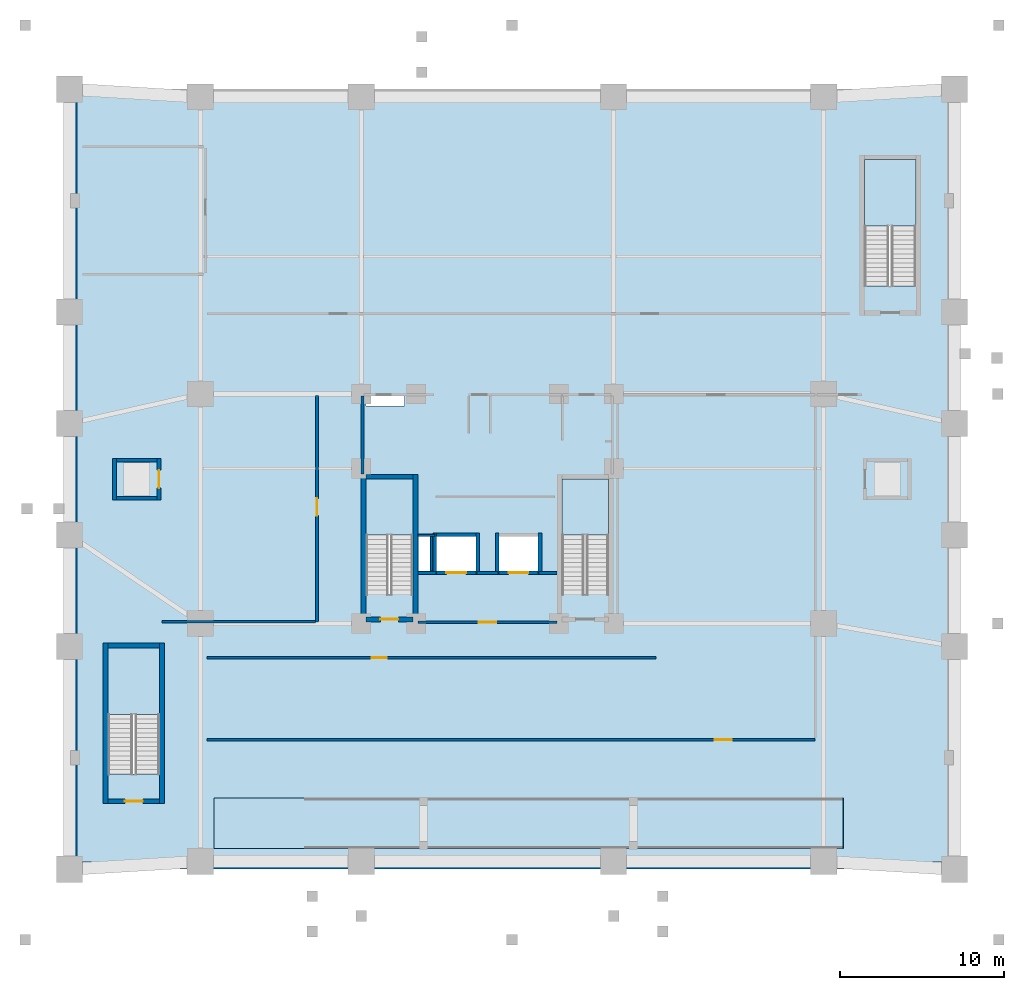
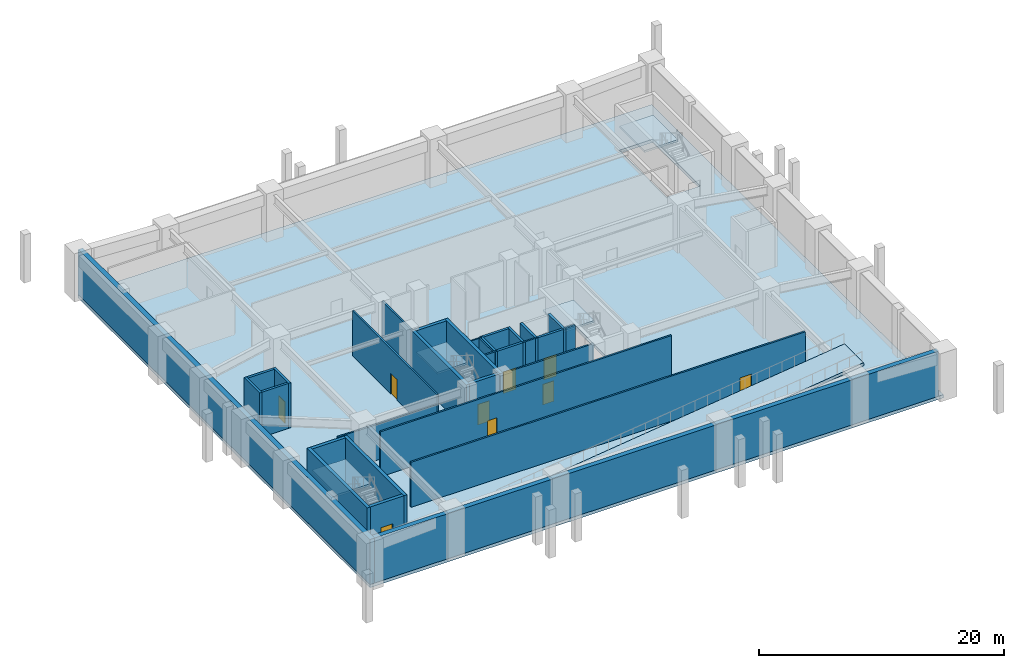
# One storey, part 2 of 8: 32 walls, 9 doors, 6 slabs, 9 openings, 4 elements without a shape of their own.
"""IFC4 building model written with IfcOpenShell, lengths in metres."""

from ifc_helpers import new_model, si_unit, derived_unit, direction, frame, frame_2d, origin, place, context, subcontext, project, spatial, polyline, rectangle, outline, extrude, material, layer, layer_set, type_object, element, fill, aggregate, save


model = new_model("IFC4")

# Units and contexts
model_context = context("Model", 3, precision=1e-05, world=origin(), true_north=direction((0.0, 1.0)))
body_context = subcontext(model_context, "Body", "Model", "MODEL_VIEW")
ifc_project = project(units=[si_unit("LENGTHUNIT", "METRE"), si_unit("AREAUNIT", "SQUARE_METRE"), si_unit("VOLUMEUNIT", "CUBIC_METRE"), si_unit("PLANEANGLEUNIT", "RADIAN"), si_unit("MASSUNIT", "GRAM", prefix="KILO"), derived_unit("THERMALTRANSMITTANCEUNIT", [(si_unit("MASSUNIT", "GRAM", prefix="KILO"), 1), (si_unit("TIMEUNIT", "SECOND"), -3), (si_unit("THERMODYNAMICTEMPERATUREUNIT", "KELVIN"), -1)])], contexts=[model_context])

# Site, building, storey
site_placement = place(None, origin())
site = spatial("IfcSite", under=ifc_project, at=site_placement, CompositionType="ELEMENT")
building_placement = place(site_placement, origin())
building = spatial("IfcBuilding", under=site, at=building_placement, Name="Korrvale Station Residences", CompositionType="ELEMENT")
storey_placement = place(building_placement, frame((0.0, 0.0, -4.800048828125)))
storey = spatial("IfcBuildingStorey", under=building, at=storey_placement, Name="B01", CompositionType="ELEMENT", Elevation=-4.800048828125)

# Slab
ifc_material_1 = material(Name="Concrete C50/60", Category="concrete")
ifc_layer_1 = layer(ifc_material_1, 0.320068359375, Name="Concrete C50/60")
ifc_layer_set_1 = layer_set([ifc_layer_1], Name="Concrete C50/60")
slab_type_1 = type_object("IfcSlabType", Name="SLB-FLR-320", PredefinedType="FLOOR", material=ifc_layer_set_1)
slab_1_placement = place(storey_placement, frame((0.0, 0.0, -0.320068359375)))
element("IfcSlab", 1, at=slab_1_placement, inside=storey, type_object=slab_type_1, Name="B01 Suspended Structural Floor Slab", PredefinedType="FLOOR", context=body_context, shape_type="SweptSolid", body=[
    extrude(outline(polyline([(0.0, 0.0), (54.0, 0.0), (54.0, 47.60009765625), (0.0, 47.60009765625), (0.0, 0.0)]), holes=[polyline([(20.949951171875, 16.751953125), (20.949951171875, 23.800048828125), (18.10009765625, 23.800048828125), (18.10009765625, 16.751953125), (20.949951171875, 16.751953125)]), polyline([(32.89990234375, 16.751953125), (32.89990234375, 23.800048828125), (30.050048828125, 23.800048828125), (30.050048828125, 16.751953125), (32.89990234375, 16.751953125)]), polyline([(5.5, 5.802001953125), (5.5, 13.5), (2.35009765625, 13.5), (2.35009765625, 5.802001953125), (5.5, 5.802001953125)]), polyline([(51.64990234375, 35.60205078125), (51.64990234375, 43.300048828125), (48.5, 43.300048828125), (48.5, 35.60205078125), (51.64990234375, 35.60205078125)]), polyline([(22.39990234375, 18.199951171875), (24.800048828125, 18.199951171875), (24.800048828125, 20.300048828125), (22.39990234375, 20.300048828125), (22.39990234375, 18.199951171875)]), polyline([(26.199951171875, 18.199951171875), (28.60009765625, 18.199951171875), (28.60009765625, 20.300048828125), (26.199951171875, 20.300048828125), (26.199951171875, 18.199951171875)]), polyline([(18.10009765625, 28.280029296875), (20.449951171875, 28.280029296875), (20.449951171875, 28.8798828125), (18.10009765625, 28.8798828125), (18.10009765625, 28.280029296875)]), polyline([(21.280029296875, 18.199951171875), (22.02001953125, 18.199951171875), (22.02001953125, 20.300048828125), (21.280029296875, 20.300048828125), (21.280029296875, 18.199951171875)]), polyline([(8.800048828125, 1.25), (11.10009765625, 1.25), (11.10009765625, 4.35009765625), (8.800048828125, 4.35009765625), (8.800048828125, 1.25)])]), origin(), (0.0, 0.0, 1.0), 0.320068359375),
])

# Stair, slab
stair_type_1 = type_object("IfcStairType", Name="STR-DL-1350-28R-1714", PredefinedType="HALF_TURN_STAIR", material=ifc_material_1)
stair_1_placement = place(storey_placement, origin())
stair_1 = element("IfcStair", 2, at=stair_1_placement, inside=storey, type_object=stair_type_1, Name="B01 Exit Stair 1", PredefinedType="HALF_TURN_STAIR")
ifc_layer_2 = layer(ifc_material_1, 0.199951171875, Name="Concrete C50/60")
ifc_layer_set_2 = layer_set([ifc_layer_2], Name="Concrete C50/60")
slab_type_2 = type_object("IfcSlabType", Name="SLB-LND-200", PredefinedType="LANDING", material=ifc_layer_set_2)
slab_2_placement = place(storey_placement, frame((0.0, 0.0, 2.199951171875)))
slab_2 = element("IfcSlab", 3, at=slab_2_placement, type_object=slab_type_2, Name="ST-1 landing 1", PredefinedType="LANDING", context=body_context, shape_type="SweptSolid", body=[
    extrude(outline(polyline([(20.949951171875, 20.389892578125), (20.949951171875, 23.800048828125), (18.10009765625, 23.800048828125), (18.10009765625, 20.389892578125), (20.949951171875, 20.389892578125)])), origin(), (0.0, 0.0, 1.0), 0.2001953125),
])
aggregate(stair_1, [slab_2])

stair_2_placement = place(storey_placement, origin())
stair_2 = element("IfcStair", 4, at=stair_2_placement, inside=storey, type_object=stair_type_1, Name="B01 Exit Stair 2", PredefinedType="HALF_TURN_STAIR")
slab_3_placement = place(storey_placement, frame((0.0, 0.0, 2.199951171875)))
slab_3 = element("IfcSlab", 5, at=slab_3_placement, type_object=slab_type_2, Name="ST-2 landing 1", PredefinedType="LANDING", context=body_context, shape_type="SweptSolid", body=[
    extrude(outline(polyline([(32.89990234375, 20.389892578125), (32.89990234375, 23.800048828125), (30.050048828125, 23.800048828125), (30.050048828125, 20.389892578125), (32.89990234375, 20.389892578125)])), origin(), (0.0, 0.0, 1.0), 0.2001953125),
])
aggregate(stair_2, [slab_3])

stair_type_2 = type_object("IfcStairType", Name="STR-DL-1500-28R-1714", PredefinedType="HALF_TURN_STAIR", material=ifc_material_1)
stair_3_placement = place(storey_placement, origin())
stair_3 = element("IfcStair", 6, at=stair_3_placement, inside=storey, type_object=stair_type_2, Name="B01 Station Exit Stair 3", PredefinedType="HALF_TURN_STAIR")
slab_4_placement = place(storey_placement, frame((0.0, 0.0, 2.199951171875)))
slab_4 = element("IfcSlab", 7, at=slab_4_placement, type_object=slab_type_2, Name="ST-3 landing 1", PredefinedType="LANDING", context=body_context, shape_type="SweptSolid", body=[
    extrude(outline(polyline([(5.5, 9.43994140625), (5.5, 13.5), (2.35009765625, 13.5), (2.35009765625, 9.43994140625), (5.5, 9.43994140625)])), origin(), (0.0, 0.0, 1.0), 0.2001953125),
])
aggregate(stair_3, [slab_4])

stair_4_placement = place(storey_placement, origin())
stair_4 = element("IfcStair", 8, at=stair_4_placement, inside=storey, type_object=stair_type_2, Name="B01 Station Exit Stair 4", PredefinedType="HALF_TURN_STAIR")
slab_5_placement = place(storey_placement, frame((0.0, 0.0, 2.199951171875)))
slab_5 = element("IfcSlab", 9, at=slab_5_placement, type_object=slab_type_2, Name="ST-4 landing 1", PredefinedType="LANDING", context=body_context, shape_type="SweptSolid", body=[
    extrude(outline(polyline([(51.64990234375, 39.239990234375), (51.64990234375, 43.300048828125), (48.5, 43.300048828125), (48.5, 39.239990234375), (51.64990234375, 39.239990234375)])), origin(), (0.0, 0.0, 1.0), 0.2001953125),
])
aggregate(stair_4, [slab_5])

# Slab
ifc_layer_3 = layer(ifc_material_1, 0.300048828125, Name="Concrete C50/60")
ifc_layer_set_3 = layer_set([ifc_layer_3], Name="Concrete C50/60")
slab_type_3 = type_object("IfcSlabType", Name="SLB-VRAMP-300", PredefinedType="USERDEFINED", material=ifc_layer_set_3)
slab_6_placement = place(storey_placement, frame((8.800048828125, 1.25, 0.0), z_axis=(-0.124036287512, 0.0, 0.992277682597), x_axis=(0.992277682597, 0.0, 0.124036287512)))
element("IfcSlab", 10, at=slab_6_placement, inside=storey, type_object=slab_type_3, Name="Basement B01 Structural Concrete Vehicle Ramp Slab", ObjectType="VEHICLE_RAMP", PredefinedType="USERDEFINED", context=body_context, shape_type="SweptSolid", body=[
    extrude(outline(polyline([(0.0, 0.0), (38.698746346127564, 0.0), (38.698746346127564, 3.10009765625), (0.0, 3.10009765625), (0.0, 0.0)])), origin(), (0.0, 0.0, -1.0), 0.300048828125),
])

# Walls
ifc_material_2 = material(Name="Concrete C70/85", Category="concrete")
ifc_layer_4 = layer(ifc_material_2, 0.300048828125, Name="Concrete C70/85")
ifc_layer_set_4 = layer_set([ifc_layer_4], Name="Concrete C70/85")
wall_type_1 = type_object("IfcWallType", Name="WAL-CORE-300-C70", PredefinedType="SHEAR", material=ifc_layer_set_4)
for number, where, z_axis, x_axis, name in (
    (11, (17.949951171875, 15.10009765625, 0.0), (0.0, 0.0, 1.0), (0.0, 1.0, 0.0), "B01 ST-1 Core Shear Wall West"),
    (12, (21.10009765625, 15.10009765625, 0.0), (0.0, 0.0, 1.0), (0.0, 1.0, 0.0), "B01 ST-1 Core Shear Wall East"),
):
    element("IfcWall", number, at=place(storey_placement, frame(where, z_axis=z_axis, x_axis=x_axis)), inside=storey, type_object=wall_type_1, Name=name, PredefinedType="SHEAR", context=body_context, shape_type="SweptSolid", body=[
        extrude(rectangle(XDim=9.0, YDim=0.300048828125, at=frame_2d((4.5, 0.0))), origin(), (0.0, 0.0, 1.0), 4.47998046875),
    ])
wall_1_placement = place(storey_placement, frame((18.10009765625, 23.949951171875, 0.0), z_axis=(0.0, 0.0, 1.0), x_axis=(1.0, 0.0, 0.0)))
element("IfcWall", 13, at=wall_1_placement, inside=storey, type_object=wall_type_1, Name="B01 ST-1 Core Shear Wall North", PredefinedType="SHEAR", context=body_context, shape_type="SweptSolid", body=[
    extrude(rectangle(XDim=2.849853515625, YDim=0.300048828125, at=frame_2d((1.4248046875, 0.0))), origin(), (0.0, 0.0, 1.0), 4.47998046875),
])

# Wall, opening, door
wall_2_placement = place(storey_placement, frame((18.10009765625, 15.25, 0.0), z_axis=(0.0, 0.0, 1.0), x_axis=(1.0, 0.0, 0.0)))
wall_2 = element("IfcWall", 14, at=wall_2_placement, inside=storey, type_object=wall_type_1, Name="B01 ST-1 Core Shear Wall South", PredefinedType="SHEAR", context=body_context, shape_type="SweptSolid", body=[
    extrude(rectangle(XDim=2.849853515625, YDim=0.300048828125, at=frame_2d((1.4248046875, 0.0))), origin(), (0.0, 0.0, 1.0), 4.47998046875),
])
opening_1_placement = place(wall_2_placement, frame((0.860107421875, 0.0, 0.0)))
opening_1 = element("IfcOpeningElement", 15, at=opening_1_placement, cuts=wall_2, Name="Opening SD-1100", PredefinedType="OPENING", context=body_context, shape_type="SweptSolid", body=[
    extrude(rectangle(XDim=1.10009765625, YDim=2.050048828125, at=frame_2d((0.550048828125, 1.02490234375))), frame((0.0, 0.16015625, 0.0), z_axis=(0.0, -1.0, 0.0), x_axis=(1.0, 0.0, 0.0)), (0.0, 0.0, 1.0), 0.320068359375),
])
ifc_material_3 = material(Name="Hollow-metal fire-rated stair door with closer", Category="steel")
door_type_1 = type_object("IfcDoorType", Name="DR-STAIR-1100", OperationType="NOTDEFINED", PredefinedType="DOOR", material=ifc_material_3)
door_1_placement = place(opening_1_placement, origin())
door_1 = element("IfcDoor", 16, at=door_1_placement, inside=storey, type_object=door_type_1, Name="B01 ST-1 Exit Stair Door", OperationType="SINGLE_SWING_LEFT", OverallHeight=2.050048828125, OverallWidth=1.10009765625, PredefinedType="DOOR", context=body_context, shape_type="SweptSolid", body=[
    extrude(rectangle(XDim=1.10009765625, YDim=2.050048828125, at=frame_2d((0.550048828125, 1.02490234375))), frame((0.0, 0.02490234375, 0.0), z_axis=(0.0, -1.0, 0.0), x_axis=(1.0, 0.0, 0.0)), (0.0, 0.0, 1.0), 0.050048828125),
])
fill(opening_1, door_1)

# Walls
for number, where, z_axis, x_axis, name in (
    (17, (2.199951171875, 4.0, 0.0), (0.0, 0.0, 1.0), (0.0, 1.0, 0.0), "B01 ST-3 Core Shear Wall West"),
    (18, (5.64990234375, 4.0, 0.0), (0.0, 0.0, 1.0), (0.0, 1.0, 0.0), "B01 ST-3 Core Shear Wall East"),
):
    element("IfcWall", number, at=place(storey_placement, frame(where, z_axis=z_axis, x_axis=x_axis)), inside=storey, type_object=wall_type_1, Name=name, PredefinedType="SHEAR", context=body_context, shape_type="SweptSolid", body=[
        extrude(rectangle(XDim=9.800048828125, YDim=0.300048828125, at=frame_2d((4.89990234375, 0.0))), origin(), (0.0, 0.0, 1.0), 4.47998046875),
    ])
wall_3_placement = place(storey_placement, frame((2.35009765625, 13.64990234375, 0.0), z_axis=(0.0, 0.0, 1.0), x_axis=(1.0, 0.0, 0.0)))
element("IfcWall", 19, at=wall_3_placement, inside=storey, type_object=wall_type_1, Name="B01 ST-3 Core Shear Wall North", PredefinedType="SHEAR", context=body_context, shape_type="SweptSolid", body=[
    extrude(rectangle(XDim=3.14990234375, YDim=0.300048828125, at=frame_2d((1.574951171875, 0.0))), origin(), (0.0, 0.0, 1.0), 4.47998046875),
])

# Wall, opening, door
wall_4_placement = place(storey_placement, frame((2.35009765625, 4.14990234375, 0.0), z_axis=(0.0, 0.0, 1.0), x_axis=(1.0, 0.0, 0.0)))
wall_4 = element("IfcWall", 20, at=wall_4_placement, inside=storey, type_object=wall_type_1, Name="B01 ST-3 Core Shear Wall South", PredefinedType="SHEAR", context=body_context, shape_type="SweptSolid", body=[
    extrude(rectangle(XDim=3.14990234375, YDim=0.300048828125, at=frame_2d((1.574951171875, 0.0))), origin(), (0.0, 0.0, 1.0), 4.47998046875),
])
opening_2_placement = place(wall_4_placement, frame((1.02001953125, 0.0, 0.0)))
opening_2 = element("IfcOpeningElement", 21, at=opening_2_placement, cuts=wall_4, Name="Opening SD-1100", PredefinedType="OPENING", context=body_context, shape_type="SweptSolid", body=[
    extrude(rectangle(XDim=1.10009765625, YDim=2.050048828125, at=frame_2d((0.550048828125, 1.02490234375))), frame((0.0, 0.16015625, 0.0), z_axis=(0.0, -1.0, 0.0), x_axis=(1.0, 0.0, 0.0)), (0.0, 0.0, 1.0), 0.320068359375),
])
door_2_placement = place(opening_2_placement, origin())
door_2 = element("IfcDoor", 22, at=door_2_placement, inside=storey, type_object=door_type_1, Name="B01 ST-3 Exit Stair Door", OperationType="SINGLE_SWING_LEFT", OverallHeight=2.050048828125, OverallWidth=1.10009765625, PredefinedType="DOOR", context=body_context, shape_type="SweptSolid", body=[
    extrude(rectangle(XDim=1.10009765625, YDim=2.050048828125, at=frame_2d((0.550048828125, 1.02490234375))), frame((0.0, 0.02490234375, 0.0), z_axis=(0.0, -1.0, 0.0), x_axis=(1.0, 0.0, 0.0)), (0.0, 0.0, 1.0), 0.050048828125),
])
fill(opening_2, door_2)

# Walls
ifc_material_4 = material(Name="Acoustic steel-stud gypsum board partition", Category="steel")
ifc_layer_5 = layer(ifc_material_4, 0.1201171875, Name="Acoustic steel-stud gypsum board partition")
ifc_layer_set_5 = layer_set([ifc_layer_5], Name="Acoustic steel-stud gypsum board partition")
wall_type_2 = type_object("IfcWallType", Name="WAL-PART-125", PredefinedType="PARTITIONING", material=ifc_layer_set_5)
wall_5_placement = place(storey_placement, frame((22.080078125, 18.199951171875, 0.0), z_axis=(0.0, 0.0, 1.0), x_axis=(0.0, 1.0, 0.0)))
element("IfcWall", 23, at=wall_5_placement, inside=storey, type_object=wall_type_2, Name="B01 Core Partition CW-RSWT", PredefinedType="PARTITIONING", context=body_context, shape_type="SweptSolid", body=[
    extrude(rectangle(XDim=2.1201171875, YDim=0.1201171875, at=frame_2d((1.06005859375, 0.0))), origin(), (0.0, 0.0, 1.0), 4.47998046875),
])
wall_6_placement = place(storey_placement, frame((22.280029296875, 20.3798828125, 0.0), z_axis=(0.0, 0.0, 1.0), x_axis=(-1.0, 0.0, 0.0)))
element("IfcWall", 24, at=wall_6_placement, inside=storey, type_object=wall_type_2, Name="B01 Core Partition CW-RSWT-N", PredefinedType="PARTITIONING", context=body_context, shape_type="SweptSolid", body=[
    extrude(rectangle(XDim=1.02001953125, YDim=0.1201171875, at=frame_2d((0.510009765625, 0.0))), origin(), (0.0, 0.0, 1.0), 4.47998046875),
])

# Wall, opening, door
ifc_material_5 = material(Name="Fire-rated twin-stud gypsum and mineral wool shaftwall assembly", Category="gypsum")
ifc_layer_6 = layer(ifc_material_5, 0.159912109375, Name="Fire-rated twin-stud gypsum and mineral wool shaftwall assembly")
ifc_layer_set_6 = layer_set([ifc_layer_6], Name="Fire-rated twin-stud gypsum and mineral wool shaftwall assembly")
wall_type_3 = type_object("IfcWallType", Name="WAL-PART-200", PredefinedType="PARTITIONING", material=ifc_layer_set_6)
wall_7_placement = place(storey_placement, frame((21.25, 15.080078125, 0.0), z_axis=(0.0, 0.0, 1.0), x_axis=(1.0, 0.0, 0.0)))
wall_7 = element("IfcWall", 25, at=wall_7_placement, inside=storey, type_object=wall_type_3, Name="B01 Core Partition CW-FFL-S", PredefinedType="PARTITIONING", context=body_context, shape_type="SweptSolid", body=[
    extrude(rectangle(XDim=8.5, YDim=0.159912109375, at=frame_2d((4.25, 0.0))), origin(), (0.0, 0.0, 1.0), 4.47998046875),
])
opening_3_placement = place(wall_7_placement, frame((3.72509765625, 0.0, 0.0)))
opening_3 = element("IfcOpeningElement", 26, at=opening_3_placement, cuts=wall_7, Name="Opening FD-1050", PredefinedType="OPENING", context=body_context, shape_type="SweptSolid", body=[
    extrude(rectangle(XDim=1.050048828125, YDim=2.050048828125, at=frame_2d((0.52490234375, 1.02490234375))), frame((0.0, 0.08984375, 0.0), z_axis=(0.0, -1.0, 0.0), x_axis=(1.0, 0.0, 0.0)), (0.0, 0.0, 1.0), 0.179931640625),
])
ifc_material_6 = material(Name="Fire-rated mineral-core timber lobby door", Category="wood")
door_type_2 = type_object("IfcDoorType", Name="DR-CORE-1050", OperationType="NOTDEFINED", PredefinedType="DOOR", material=ifc_material_6)
door_3_placement = place(opening_3_placement, origin())
door_3 = element("IfcDoor", 27, at=door_3_placement, inside=storey, type_object=door_type_2, Name="B01 Firefighting Lobby Entry Door", OperationType="SINGLE_SWING_LEFT", OverallHeight=2.050048828125, OverallWidth=1.050048828125, PredefinedType="DOOR", context=body_context, shape_type="SweptSolid", body=[
    extrude(rectangle(XDim=1.050048828125, YDim=2.050048828125, at=frame_2d((0.52490234375, 1.02490234375))), frame((0.0, 0.02490234375, 0.0), z_axis=(0.0, -1.0, 0.0), x_axis=(1.0, 0.0, 0.0)), (0.0, 0.0, 1.0), 0.050048828125),
])
fill(opening_3, door_3)

# Walls
wall_8_placement = place(storey_placement, frame((21.25, 18.080078125, 0.0), z_axis=(0.0, 0.0, 1.0), x_axis=(1.0, 0.0, 0.0)))
element("IfcWall", 28, at=wall_8_placement, inside=storey, type_object=wall_type_3, Name="B01 Core Partition CW-FFL-N1", PredefinedType="PARTITIONING", context=body_context, shape_type="SweptSolid", body=[
    extrude(rectangle(XDim=1.10009765625, YDim=0.159912109375, at=frame_2d((0.550048828125, 0.0))), origin(), (0.0, 0.0, 1.0), 4.47998046875),
])
wall_9_placement = place(storey_placement, frame((24.85009765625, 18.080078125, 0.0), z_axis=(0.0, 0.0, 1.0), x_axis=(1.0, 0.0, 0.0)))
element("IfcWall", 29, at=wall_9_placement, inside=storey, type_object=wall_type_3, Name="B01 Core Partition CW-FFL-N2", PredefinedType="PARTITIONING", context=body_context, shape_type="SweptSolid", body=[
    extrude(rectangle(XDim=1.2998046875, YDim=0.159912109375, at=frame_2d((0.64990234375, 0.0))), origin(), (0.0, 0.0, 1.0), 4.47998046875),
])
wall_10_placement = place(storey_placement, frame((28.64990234375, 18.080078125, 0.0), z_axis=(0.0, 0.0, 1.0), x_axis=(1.0, 0.0, 0.0)))
element("IfcWall", 30, at=wall_10_placement, inside=storey, type_object=wall_type_3, Name="B01 Core Partition CW-FFL-N3", PredefinedType="PARTITIONING", context=body_context, shape_type="SweptSolid", body=[
    extrude(rectangle(XDim=1.10009765625, YDim=0.159912109375, at=frame_2d((0.550048828125, 0.0))), origin(), (0.0, 0.0, 1.0), 4.47998046875),
])
wall_11_placement = place(storey_placement, frame((17.8798828125, 24.1201171875, 0.0), z_axis=(0.0, 0.0, 1.0), x_axis=(0.0, 1.0, 0.0)))
element("IfcWall", 31, at=wall_11_placement, inside=storey, type_object=wall_type_3, Name="B01 Core Partition CW-W-N", PredefinedType="PARTITIONING", context=body_context, shape_type="SweptSolid", body=[
    extrude(rectangle(XDim=4.759765625, YDim=0.159912109375, at=frame_2d((2.3798828125, 0.0))), origin(), (0.0, 0.0, 1.0), 4.47998046875),
])

# Wall, opening, door
wall_12_placement = place(storey_placement, frame((15.10009765625, 15.10009765625, 0.0), z_axis=(0.0, 0.0, 1.0), x_axis=(0.0, 1.0, 0.0)))
wall_12 = element("IfcWall", 32, at=wall_12_placement, inside=storey, type_object=wall_type_3, Name="B01 Interior Partition W-TK-E", PredefinedType="PARTITIONING", context=body_context, shape_type="SweptSolid", body=[
    extrude(rectangle(XDim=13.7998046875, YDim=0.159912109375, at=frame_2d((6.89990234375, 0.0))), origin(), (0.0, 0.0, 1.0), 4.47998046875),
])
opening_4_placement = place(wall_12_placement, frame((6.47509765625, 0.0, 0.0)))
opening_4 = element("IfcOpeningElement", 33, at=opening_4_placement, cuts=wall_12, Name="Opening FD-1050", PredefinedType="OPENING", context=body_context, shape_type="SweptSolid", body=[
    extrude(rectangle(XDim=1.050048828125, YDim=2.050048828125, at=frame_2d((0.52490234375, 1.02490234375))), frame((0.0, 0.08984375, 0.0), z_axis=(0.0, -1.0, 0.0), x_axis=(1.0, 0.0, 0.0)), (0.0, 0.0, 1.0), 0.179931640625),
])
door_4_placement = place(opening_4_placement, origin())
door_4 = element("IfcDoor", 34, at=door_4_placement, inside=storey, type_object=door_type_2, Name="B01 Ticketing Hall Door", OperationType="SINGLE_SWING_RIGHT", OverallHeight=2.050048828125, OverallWidth=1.050048828125, PredefinedType="DOOR", context=body_context, shape_type="SweptSolid", body=[
    extrude(rectangle(XDim=1.050048828125, YDim=2.050048828125, at=frame_2d((0.52490234375, 1.02490234375))), frame((0.0, 0.02490234375, 0.0), z_axis=(0.0, -1.0, 0.0), x_axis=(1.0, 0.0, 0.0)), (0.0, 0.0, 1.0), 0.050048828125),
])
fill(opening_4, door_4)

# Wall
wall_13_placement = place(storey_placement, frame((5.64990234375, 15.10009765625, 0.0), z_axis=(0.0, 0.0, 1.0), x_axis=(1.0, 0.0, 0.0)))
element("IfcWall", 35, at=wall_13_placement, inside=storey, type_object=wall_type_3, Name="B01 Interior Partition W-TK-S", PredefinedType="PARTITIONING", context=body_context, shape_type="SweptSolid", body=[
    extrude(rectangle(XDim=9.35009765625, YDim=0.159912109375, at=frame_2d((4.675048828125, 0.0))), origin(), (0.0, 0.0, 1.0), 3.56494140625),
])

# Wall, opening, door
wall_14_placement = place(storey_placement, frame((8.39990234375, 12.89990234375, 0.0), z_axis=(0.0, 0.0, 1.0), x_axis=(1.0, 0.0, 0.0)))
wall_14 = element("IfcWall", 36, at=wall_14_placement, inside=storey, type_object=wall_type_3, Name="B01 Interior Partition W-B1S-N", PredefinedType="PARTITIONING", context=body_context, shape_type="SweptSolid", body=[
    extrude(rectangle(XDim=27.400146484375, YDim=0.159912109375, at=frame_2d((13.7001953125, 0.0))), origin(), (0.0, 0.0, 1.0), 4.47998046875),
])
opening_5_placement = place(wall_14_placement, frame((10.050048828125, 0.0, 0.0)))
opening_5 = element("IfcOpeningElement", 37, at=opening_5_placement, cuts=wall_14, Name="Opening DI-900", PredefinedType="OPENING", context=body_context, shape_type="SweptSolid", body=[
    extrude(rectangle(XDim=0.89990234375, YDim=2.050048828125, at=frame_2d((0.449951171875, 1.02490234375))), frame((0.0, 0.08984375, 0.0), z_axis=(0.0, -1.0, 0.0), x_axis=(1.0, 0.0, 0.0)), (0.0, 0.0, 1.0), 0.179931640625),
])
ifc_material_7 = material(Name="Painted solid-core timber interior room door", Category="wood")
door_type_3 = type_object("IfcDoorType", Name="DR-INT-900", OperationType="NOTDEFINED", PredefinedType="DOOR", material=ifc_material_7)
door_5_placement = place(opening_5_placement, origin())
door_5 = element("IfcDoor", 38, at=door_5_placement, inside=storey, type_object=door_type_3, Name="B01 Commuter Bicycle Room Door", OperationType="SINGLE_SWING_LEFT", OverallHeight=2.050048828125, OverallWidth=0.89990234375, PredefinedType="DOOR", context=body_context, shape_type="SweptSolid", body=[
    extrude(rectangle(XDim=0.89990234375, YDim=2.050048828125, at=frame_2d((0.449951171875, 1.02490234375))), frame((0.0, 0.02490234375, 0.0), z_axis=(0.0, -1.0, 0.0), x_axis=(1.0, 0.0, 0.0)), (0.0, 0.0, 1.0), 0.050048828125),
])
fill(opening_5, door_5)

wall_15_placement = place(storey_placement, frame((8.39990234375, 7.89990234375, 0.0), z_axis=(0.0, 0.0, 1.0), x_axis=(1.0, 0.0, 0.0)))
wall_15 = element("IfcWall", 39, at=wall_15_placement, inside=storey, type_object=wall_type_3, Name="B01 Interior Partition W-B1S-S", PredefinedType="PARTITIONING", context=body_context, shape_type="SweptSolid", body=[
    extrude(rectangle(XDim=37.10009765625, YDim=0.159912109375, at=frame_2d((18.550048828125, 0.0))), origin(), (0.0, 0.0, 1.0), 4.47998046875),
])
opening_6_placement = place(wall_15_placement, frame((30.97509765625, 0.0, 0.0)))
opening_6 = element("IfcOpeningElement", 40, at=opening_6_placement, cuts=wall_15, Name="Opening FD-1050", PredefinedType="OPENING", context=body_context, shape_type="SweptSolid", body=[
    extrude(rectangle(XDim=1.050048828125, YDim=2.050048828125, at=frame_2d((0.52490234375, 1.02490234375))), frame((0.0, 0.08984375, 0.0), z_axis=(0.0, -1.0, 0.0), x_axis=(1.0, 0.0, 0.0)), (0.0, 0.0, 1.0), 0.179931640625),
])
door_6_placement = place(opening_6_placement, origin())
door_6 = element("IfcDoor", 41, at=door_6_placement, inside=storey, type_object=door_type_2, Name="B01 Vehicle Loop Access Fire Door", OperationType="SINGLE_SWING_RIGHT", OverallHeight=2.050048828125, OverallWidth=1.050048828125, PredefinedType="DOOR", context=body_context, shape_type="SweptSolid", body=[
    extrude(rectangle(XDim=1.050048828125, YDim=2.050048828125, at=frame_2d((0.52490234375, 1.02490234375))), frame((0.0, 0.02490234375, 0.0), z_axis=(0.0, -1.0, 0.0), x_axis=(1.0, 0.0, 0.0)), (0.0, 0.0, 1.0), 0.050048828125),
])
fill(opening_6, door_6)

# Walls
ifc_layer_7 = layer(ifc_material_1, 0.449951171875, Name="Concrete C50/60")
ifc_layer_set_7 = layer_set([ifc_layer_7], Name="Concrete C50/60")
wall_type_4 = type_object("IfcWallType", Name="WAL-RET-450", PredefinedType="USERDEFINED", material=ifc_layer_set_7)
wall_16_placement = place(storey_placement, frame((53.550048828125, 0.22509765625, 0.0), z_axis=(0.0, 0.0, 1.0), x_axis=(-1.0, 0.0, 0.0)))
element("IfcWall", 42, at=wall_16_placement, inside=storey, type_object=wall_type_4, Name="B01 Perimeter Basement Retaining Wall S", ObjectType="RETAININGWALL", PredefinedType="USERDEFINED", context=body_context, shape_type="SweptSolid", body=[
    extrude(rectangle(XDim=53.10009765625, YDim=0.449951171875, at=frame_2d((26.550048828125, 0.0))), origin(), (0.0, 0.0, 1.0), 4.47998046875),
])
wall_17_placement = place(storey_placement, frame((0.22509765625, 0.0, 0.0), z_axis=(0.0, 0.0, 1.0), x_axis=(0.0, 1.0, 0.0)))
element("IfcWall", 43, at=wall_17_placement, inside=storey, type_object=wall_type_4, Name="B01 Perimeter Basement Retaining Wall W", ObjectType="RETAININGWALL", PredefinedType="USERDEFINED", context=body_context, shape_type="SweptSolid", body=[
    extrude(rectangle(XDim=47.60009765625, YDim=0.449951171875, at=frame_2d((23.800048828125, 0.0))), origin(), (0.0, 0.0, 1.0), 4.47998046875),
])

# Wall, opening, door
ifc_layer_8 = layer(ifc_material_2, 0.219970703125, Name="Concrete C70/85")
ifc_layer_set_8 = layer_set([ifc_layer_8], Name="Concrete C70/85")
wall_type_5 = type_object("IfcWallType", Name="WAL-SHAFT-220-C70", PredefinedType="SHEAR", material=ifc_layer_set_8)
wall_18_placement = place(storey_placement, frame((22.39990234375, 18.090087890625, 0.0), z_axis=(0.0, 0.0, 1.0), x_axis=(1.0, 0.0, 0.0)))
wall_18 = element("IfcWall", 44, at=wall_18_placement, inside=storey, type_object=wall_type_5, Name="B01 Elevator FFL-1 Hoistway Wall South", PredefinedType="SHEAR", context=body_context, shape_type="SweptSolid", body=[
    extrude(rectangle(XDim=2.400146484375, YDim=0.219970703125, at=frame_2d((1.2001953125, 0.0))), origin(), (0.0, 0.0, 1.0), 4.47998046875),
])
opening_7_placement = place(wall_18_placement, frame((0.60009765625, 0.0, 0.0)))
opening_7 = element("IfcOpeningElement", 45, at=opening_7_placement, cuts=wall_18, Name="Opening LD-FF1200", PredefinedType="OPENING", context=body_context, shape_type="SweptSolid", body=[
    extrude(rectangle(XDim=1.199951171875, YDim=2.14990234375, at=frame_2d((0.60009765625, 1.074951171875))), frame((0.0, 0.1201171875, 0.0), z_axis=(0.0, -1.0, 0.0), x_axis=(1.0, 0.0, 0.0)), (0.0, 0.0, 1.0), 0.239990234375),
])
ifc_material_8 = material(Name="Stainless-steel firefighter elevator landing sliding door", Category="steel")
door_type_4 = type_object("IfcDoorType", Name="DR-LIFT-FF1200", OperationType="SLIDING_TO_LEFT", PredefinedType="DOOR", material=ifc_material_8)
door_7_placement = place(opening_7_placement, origin())
door_7 = element("IfcDoor", 46, at=door_7_placement, inside=storey, type_object=door_type_4, Name="B01 Elevator FFL-1 Sliding Landing Door", OperationType="SLIDING_TO_LEFT", OverallHeight=2.14990234375, OverallWidth=1.199951171875, PredefinedType="DOOR", context=body_context, shape_type="SweptSolid", body=[
    extrude(rectangle(XDim=1.199951171875, YDim=2.14990234375, at=frame_2d((0.60009765625, 1.074951171875))), frame((0.0, 0.02490234375, 0.0), z_axis=(0.0, -1.0, 0.0), x_axis=(1.0, 0.0, 0.0)), (0.0, 0.0, 1.0), 0.050048828125),
])
fill(opening_7, door_7)

# Walls
wall_19_placement = place(storey_placement, frame((22.39990234375, 20.409912109375, 0.0), z_axis=(0.0, 0.0, 1.0), x_axis=(1.0, 0.0, 0.0)))
element("IfcWall", 47, at=wall_19_placement, inside=storey, type_object=wall_type_5, Name="B01 Elevator FFL-1 Hoistway Wall North", PredefinedType="SHEAR", context=body_context, shape_type="SweptSolid", body=[
    extrude(rectangle(XDim=2.400146484375, YDim=0.219970703125, at=frame_2d((1.2001953125, 0.0))), origin(), (0.0, 0.0, 1.0), 4.47998046875),
])
for number, where, z_axis, x_axis, name in (
    (48, (22.2900390625, 17.97998046875, 0.0), (0.0, 0.0, 1.0), (0.0, 1.0, 0.0), "B01 Elevator FFL-1 Hoistway Wall West"),
    (49, (24.909912109375, 17.97998046875, 0.0), (0.0, 0.0, 1.0), (0.0, 1.0, 0.0), "B01 Elevator FFL-1 Hoistway Wall East"),
):
    element("IfcWall", number, at=place(storey_placement, frame(where, z_axis=z_axis, x_axis=x_axis)), inside=storey, type_object=wall_type_5, Name=name, PredefinedType="SHEAR", context=body_context, shape_type="SweptSolid", body=[
        extrude(rectangle(XDim=2.5400390625, YDim=0.219970703125, at=frame_2d((1.27001953125, 0.0))), origin(), (0.0, 0.0, 1.0), 4.47998046875),
    ])

# Wall, opening, door
wall_20_placement = place(storey_placement, frame((26.199951171875, 18.090087890625, 0.0), z_axis=(0.0, 0.0, 1.0), x_axis=(1.0, 0.0, 0.0)))
wall_20 = element("IfcWall", 50, at=wall_20_placement, inside=storey, type_object=wall_type_5, Name="B01 Elevator FFL-2 Hoistway Wall South", PredefinedType="SHEAR", context=body_context, shape_type="SweptSolid", body=[
    extrude(rectangle(XDim=2.400146484375, YDim=0.219970703125, at=frame_2d((1.2001953125, 0.0))), origin(), (0.0, 0.0, 1.0), 4.47998046875),
])
opening_8_placement = place(wall_20_placement, frame((0.60009765625, 0.0, 0.0)))
opening_8 = element("IfcOpeningElement", 51, at=opening_8_placement, cuts=wall_20, Name="Opening LD-FF1200", PredefinedType="OPENING", context=body_context, shape_type="SweptSolid", body=[
    extrude(rectangle(XDim=1.199951171875, YDim=2.14990234375, at=frame_2d((0.60009765625, 1.074951171875))), frame((0.0, 0.1201171875, 0.0), z_axis=(0.0, -1.0, 0.0), x_axis=(1.0, 0.0, 0.0)), (0.0, 0.0, 1.0), 0.239990234375),
])
door_8_placement = place(opening_8_placement, origin())
door_8 = element("IfcDoor", 52, at=door_8_placement, inside=storey, type_object=door_type_4, Name="B01 Elevator FFL-2 Sliding Landing Door", OperationType="SLIDING_TO_LEFT", OverallHeight=2.14990234375, OverallWidth=1.199951171875, PredefinedType="DOOR", context=body_context, shape_type="SweptSolid", body=[
    extrude(rectangle(XDim=1.199951171875, YDim=2.14990234375, at=frame_2d((0.60009765625, 1.074951171875))), frame((0.0, 0.02490234375, 0.0), z_axis=(0.0, -1.0, 0.0), x_axis=(1.0, 0.0, 0.0)), (0.0, 0.0, 1.0), 0.050048828125),
])
fill(opening_8, door_8)

# Walls
for number, where, z_axis, x_axis, name in (
    (53, (26.090087890625, 17.97998046875, 0.0), (0.0, 0.0, 1.0), (0.0, 1.0, 0.0), "B01 Elevator FFL-2 Hoistway Wall West"),
    (54, (28.7099609375, 17.97998046875, 0.0), (0.0, 0.0, 1.0), (0.0, 1.0, 0.0), "B01 Elevator FFL-2 Hoistway Wall East"),
):
    element("IfcWall", number, at=place(storey_placement, frame(where, z_axis=z_axis, x_axis=x_axis)), inside=storey, type_object=wall_type_5, Name=name, PredefinedType="SHEAR", context=body_context, shape_type="SweptSolid", body=[
        extrude(rectangle(XDim=2.5400390625, YDim=0.219970703125, at=frame_2d((1.27001953125, 0.0))), origin(), (0.0, 0.0, 1.0), 4.47998046875),
    ])
for number, where, z_axis, x_axis, name in (
    (55, (2.85009765625, 22.639892578125, 0.0), (0.0, 0.0, 1.0), (1.0, 0.0, 0.0), "B01 Elevator TL-1 Hoistway Wall South"),
    (56, (2.85009765625, 24.9599609375, 0.0), (0.0, 0.0, 1.0), (1.0, 0.0, 0.0), "B01 Elevator TL-1 Hoistway Wall North"),
):
    element("IfcWall", number, at=place(storey_placement, frame(where, z_axis=z_axis, x_axis=x_axis)), inside=storey, type_object=wall_type_5, Name=name, PredefinedType="SHEAR", context=body_context, shape_type="SweptSolid", body=[
        extrude(rectangle(XDim=2.5, YDim=0.219970703125, at=frame_2d((1.25, 0.0))), origin(), (0.0, 0.0, 1.0), 4.47998046875),
    ])
wall_21_placement = place(storey_placement, frame((2.739990234375, 22.530029296875, 0.0), z_axis=(0.0, 0.0, 1.0), x_axis=(0.0, 1.0, 0.0)))
element("IfcWall", 57, at=wall_21_placement, inside=storey, type_object=wall_type_5, Name="B01 Elevator TL-1 Hoistway Wall West", PredefinedType="SHEAR", context=body_context, shape_type="SweptSolid", body=[
    extrude(rectangle(XDim=2.5400390625, YDim=0.219970703125, at=frame_2d((1.27001953125, 0.0))), origin(), (0.0, 0.0, 1.0), 4.47998046875),
])

# Wall, opening, door
wall_22_placement = place(storey_placement, frame((5.4599609375, 22.530029296875, 0.0), z_axis=(0.0, 0.0, 1.0), x_axis=(0.0, 1.0, 0.0)))
wall_22 = element("IfcWall", 58, at=wall_22_placement, inside=storey, type_object=wall_type_5, Name="B01 Elevator TL-1 Hoistway Wall East", PredefinedType="SHEAR", context=body_context, shape_type="SweptSolid", body=[
    extrude(rectangle(XDim=2.5400390625, YDim=0.219970703125, at=frame_2d((1.27001953125, 0.0))), origin(), (0.0, 0.0, 1.0), 4.47998046875),
])
opening_9_placement = place(wall_22_placement, frame((0.719970703125, 0.0, 0.0)))
opening_9 = element("IfcOpeningElement", 59, at=opening_9_placement, cuts=wall_22, Name="Opening LD-1100", PredefinedType="OPENING", context=body_context, shape_type="SweptSolid", body=[
    extrude(rectangle(XDim=1.10009765625, YDim=2.14990234375, at=frame_2d((0.550048828125, 1.074951171875))), frame((0.0, 0.1201171875, 0.0), z_axis=(0.0, -1.0, 0.0), x_axis=(1.0, 0.0, 0.0)), (0.0, 0.0, 1.0), 0.239990234375),
])
ifc_material_9 = material(Name="Brushed stainless-steel elevator landing sliding door", Category="steel")
door_type_5 = type_object("IfcDoorType", Name="DR-LIFT-1100", OperationType="SLIDING_TO_LEFT", PredefinedType="DOOR", material=ifc_material_9)
door_9_placement = place(opening_9_placement, origin())
door_9 = element("IfcDoor", 60, at=door_9_placement, inside=storey, type_object=door_type_5, Name="B01 Elevator TL-1 Sliding Landing Door", OperationType="SLIDING_TO_LEFT", OverallHeight=2.14990234375, OverallWidth=1.10009765625, PredefinedType="DOOR", context=body_context, shape_type="SweptSolid", body=[
    extrude(rectangle(XDim=1.10009765625, YDim=2.14990234375, at=frame_2d((0.550048828125, 1.074951171875))), frame((0.0, 0.02490234375, 0.0), z_axis=(0.0, -1.0, 0.0), x_axis=(1.0, 0.0, 0.0)), (0.0, 0.0, 1.0), 0.050048828125),
])
fill(opening_9, door_9)

save(model, "model.ifc")
